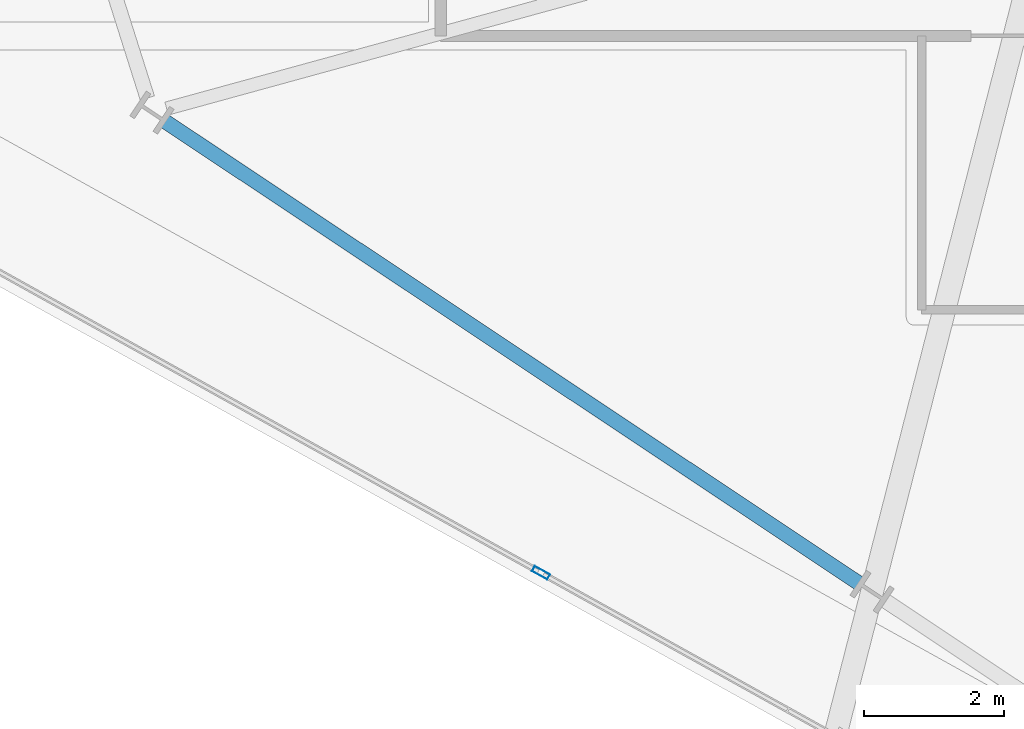
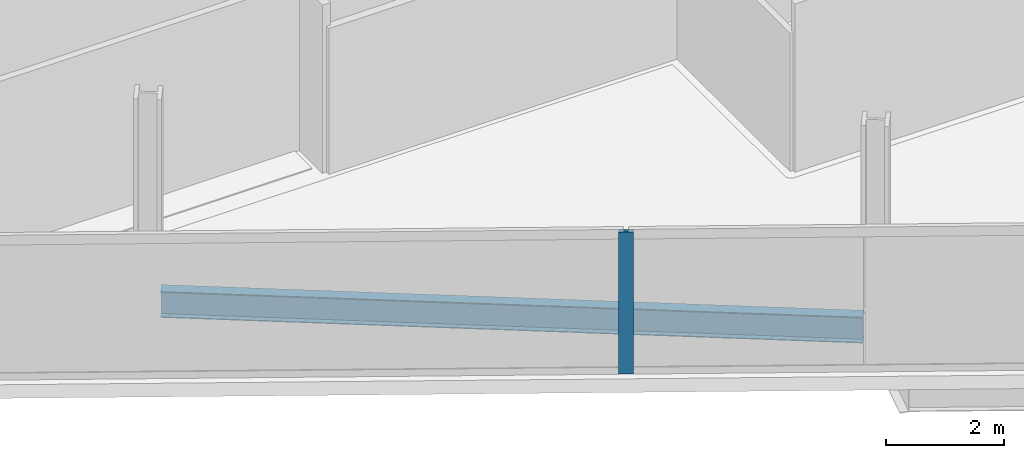
# One storey, part 2 of 28: 1 beam, 1 member, 1 element without a shape of its own.
"""IFC4 building model written with IfcOpenShell, lengths in metres."""

from ifc_helpers import new_model, si_unit, direction, frame, origin, origin_2d, place, context, subcontext, project, spatial, hollow_rectangle, i_section, extrude, material, material_profile, profile_set, type_object, element, aggregate, save


model = new_model("IFC4")

# Units and contexts
model_context = context("Model", 3, precision=1e-05, world=origin(), true_north=direction((0.0, 1.0)))
body_context = subcontext(model_context, "Body", "Model", "MODEL_VIEW")
ifc_project = project(units=[si_unit("LENGTHUNIT", "METRE"), si_unit("AREAUNIT", "SQUARE_METRE"), si_unit("VOLUMEUNIT", "CUBIC_METRE"), si_unit("PLANEANGLEUNIT", "RADIAN"), si_unit("MASSUNIT", "GRAM", prefix="KILO")], contexts=[model_context])

# Site, building, storey
site_placement = place(None, origin())
site = spatial("IfcSite", under=ifc_project, at=site_placement, CompositionType="ELEMENT")
building_placement = place(site_placement, origin())
building = spatial("IfcBuilding", under=site, at=building_placement, Name="Haldenkirk Collegiate Tower", CompositionType="ELEMENT")
storey_placement = place(building_placement, frame((0.0, 0.0, 232.199951171875)))
storey = spatial("IfcBuildingStorey", under=building, at=storey_placement, Name="L58", CompositionType="ELEMENT", Elevation=232.199951171875)

# Beam
ifc_material_1 = material(Name="Steel ASTM A992 Grade 50", Category="steel")
ifc_material_profile_1 = material_profile(ifc_material_1, i_section(OverallWidth=0.2099609375, OverallDepth=0.537109375, WebThickness=0.010986328125, FlangeThickness=0.017333984375, at=origin_2d()), Name="W21X68")
ifc_profile_set_1 = profile_set([ifc_material_profile_1], Name="Steel ASTM A992 Grade 50")
beam_type = type_object("IfcBeamType", Name="BM-SPANDREL-W21X68", PredefinedType="SPANDREL", material=ifc_profile_set_1)
beam_placement = place(storey_placement, frame((14.26904296875, 14.337158203125, -0.54833984375), z_axis=(0.832438805455, -0.554116986901, 0.0), x_axis=(0.554116986901, 0.832438805455, 0.0)))
element("IfcBeam", 1, at=beam_placement, inside=storey, type_object=beam_type, Name="L58 perimeter spandrel beam 14", PredefinedType="SPANDREL", context=body_context, shape_type="SweptSolid", body=[
    extrude(i_section(OverallWidth=0.2099609375, OverallDepth=0.537109375, WebThickness=0.010986328125, FlangeThickness=0.017333984375, at=origin_2d()), origin(), (0.0, 0.0, 1.0), 11.885009765625),
])

# Curtain wall, member
ifc_material_2 = material(Name="Anodised architectural bronze aluminium", Category="aluminium")
curtain_wall_type = type_object("IfcCurtainWallType", Name="CW-SYS1B-CONVEX-HI", PredefinedType="USERDEFINED", material=ifc_material_2)
curtain_wall_placement = place(storey_placement, origin())
curtain_wall = element("IfcCurtainWall", 2, at=curtain_wall_placement, inside=storey, type_object=curtain_wall_type, Name="L58 Upper tower high-wind convex bronze unitised curtain wall", ObjectType="UNITISED CURTAIN WALL", PredefinedType="USERDEFINED")
ifc_material_profile_2 = material_profile(ifc_material_2, hollow_rectangle(XDim=0.0849609375, YDim=0.25, WallThickness=0.0048828125, at=origin_2d()), Name="CW-MUL-1B")
ifc_profile_set_2 = profile_set([ifc_material_profile_2], Name="Anodised architectural bronze aluminium")
member_type = type_object("IfcMemberType", Name="CW-MUL-1B", PredefinedType="MULLION", material=ifc_profile_set_2)
member_placement = place(storey_placement, frame((19.6279296875, 7.903076171875, 0.0), z_axis=(0.0, 0.0, 1.0), x_axis=(-0.485574440308, -0.874195323094, 0.0)))
member = element("IfcMember", 3, at=member_placement, type_object=member_type, Name="CW-1B mullion 3", PredefinedType="MULLION", context=body_context, shape_type="SweptSolid", body=[
    extrude(hollow_rectangle(XDim=0.0849609375, YDim=0.25, WallThickness=0.0048828125, at=origin_2d()), origin(), (0.0, 0.0, 1.0), 2.927978515625),
])
aggregate(curtain_wall, [member])

save(model, "model.ifc")
